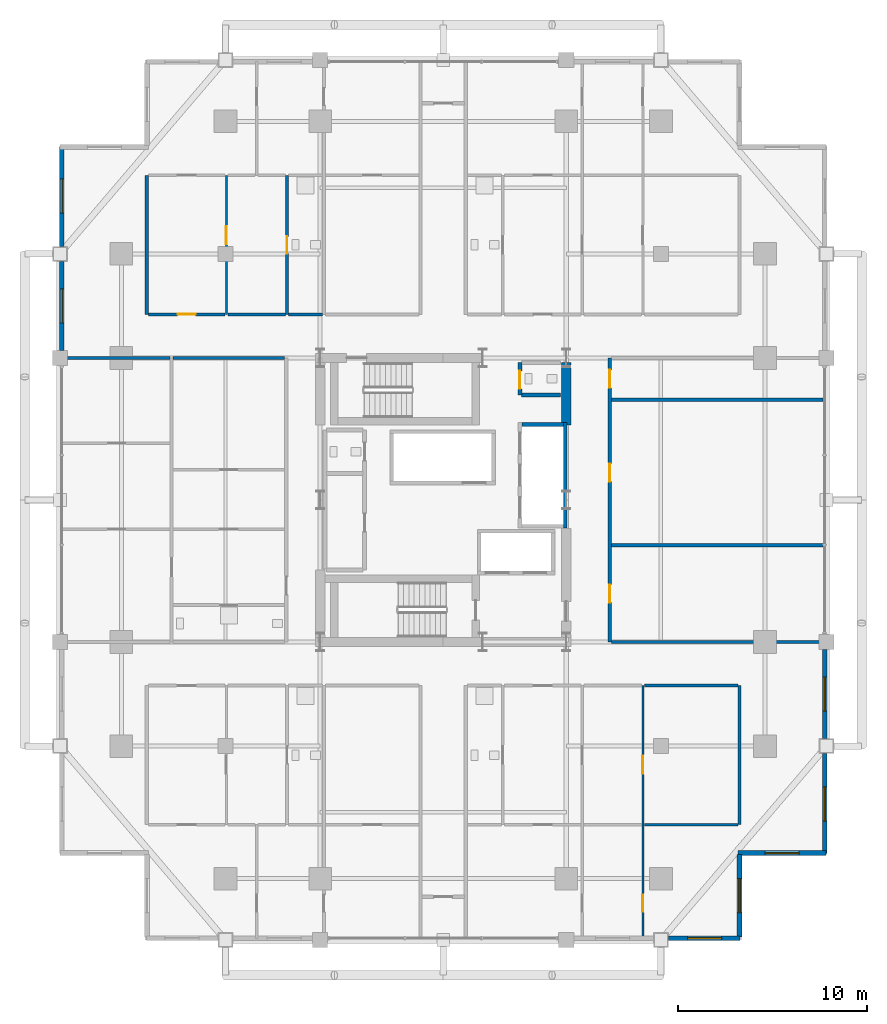
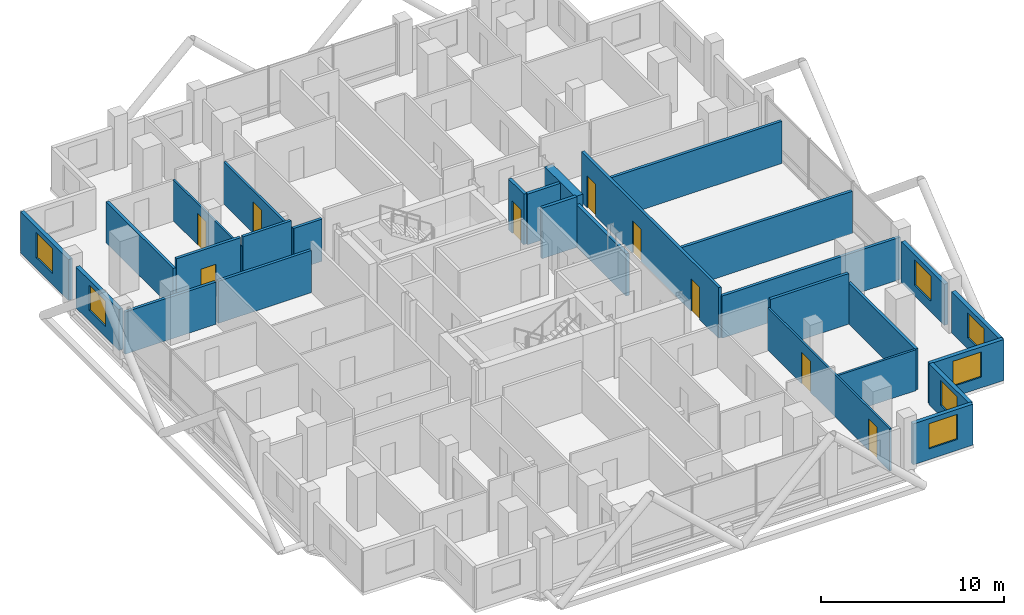
# One storey, part 21 of 25: 28 walls, 9 doors, 7 windows, 16 openings.
"""IFC4 building model written with IfcOpenShell, lengths in metres."""

from ifc_helpers import new_model, si_unit, direction, frame, frame_2d, origin, place, context, subcontext, project, spatial, rectangle, extrude, material, layer, layer_set, type_object, element, fill, save


model = new_model("IFC4")

# Units and contexts
model_context = context("Model", 3, precision=1e-05, world=origin(), true_north=direction((0.0, 1.0)))
body_context = subcontext(model_context, "Body", "Model", "MODEL_VIEW")
ifc_project = project(units=[si_unit("LENGTHUNIT", "METRE"), si_unit("AREAUNIT", "SQUARE_METRE"), si_unit("VOLUMEUNIT", "CUBIC_METRE"), si_unit("PLANEANGLEUNIT", "RADIAN"), si_unit("MASSUNIT", "GRAM", prefix="KILO")], contexts=[model_context])

# Site, building, storey
site_placement = place(None, origin())
site = spatial("IfcSite", under=ifc_project, at=site_placement, CompositionType="ELEMENT")
building_placement = place(site_placement, origin())
building = spatial("IfcBuilding", under=site, at=building_placement, Name="Barlavira Tower and Art Museum", CompositionType="ELEMENT")
storey_placement = place(building_placement, frame((0.0, 0.0, 133.199951171875)))
storey = spatial("IfcBuildingStorey", under=building, at=storey_placement, Name="L33", CompositionType="ELEMENT", Elevation=133.199951171875)

# Wall, opening, door
ifc_material_1 = material(Name="Gypsum acoustic stud partition", Category="gypsum")
ifc_layer_1 = layer(ifc_material_1, 0.1201171875, Name="Gypsum acoustic stud partition")
ifc_layer_set_1 = layer_set([ifc_layer_1], Name="Gypsum acoustic stud partition")
wall_type_1 = type_object("IfcWallType", Name="Apartment Internal Acoustic Partition 120", PredefinedType="PARTITIONING", material=ifc_layer_set_1)
wall_1_placement = place(storey_placement, frame((-11.449951171875, 9.800048828125, 0.0), z_axis=(0.0, 0.0, 1.0), x_axis=(0.0, 1.0, 0.0)))
wall_1 = element("IfcWall", 1, at=wall_1_placement, inside=storey, type_object=wall_type_1, Name="L33 Partition Wall 5", PredefinedType="PARTITIONING", context=body_context, shape_type="SweptSolid", body=[
    extrude(rectangle(XDim=7.349853515625, YDim=0.1201171875, at=frame_2d((3.6748046875, 0.0))), origin(), (0.0, 0.0, 1.0), 2.736083984375),
])
opening_1_placement = place(wall_1_placement, frame((3.71337890625, 0.0, 0.0)))
opening_1 = element("IfcOpeningElement", 2, at=opening_1_placement, cuts=wall_1, Name="Opening D-02", PredefinedType="OPENING", context=body_context, shape_type="SweptSolid", body=[
    extrude(rectangle(XDim=0.949951171875, YDim=2.10009765625, at=frame_2d((0.47509765625, 1.050048828125))), frame((0.0, 0.070068359375, 0.0), z_axis=(0.0, -1.0, 0.0), x_axis=(1.0, 0.0, 0.0)), (0.0, 0.0, 1.0), 0.14013671875),
])
ifc_material_2 = material(Name="Engineered coastal hardwood", Category="wood")
door_type_1 = type_object("IfcDoorType", Name="Living and Salon Glazed-Leaf Door 950x2100", OperationType="NOTDEFINED", PredefinedType="DOOR", material=ifc_material_2)
door_1_placement = place(opening_1_placement, origin())
door_1 = element("IfcDoor", 3, at=door_1_placement, inside=storey, type_object=door_type_1, Name="Apartment NW1 Kitchen Door", OperationType="SINGLE_SWING_RIGHT", OverallHeight=2.10009765625, OverallWidth=0.949951171875, PredefinedType="DOOR", context=body_context, shape_type="SweptSolid", body=[
    extrude(rectangle(XDim=0.949951171875, YDim=2.10009765625, at=frame_2d((0.47509765625, 1.050048828125))), frame((0.0, 0.02490234375, 0.0), z_axis=(0.0, -1.0, 0.0), x_axis=(1.0, 0.0, 0.0)), (0.0, 0.0, 1.0), 0.050048828125),
])
fill(opening_1, door_1)

# Wall, openings, doors
wall_2_placement = place(storey_placement, frame((10.550048828125, -23.14990234375, 0.0), z_axis=(0.0, 0.0, 1.0), x_axis=(0.0, 1.0, 0.0)))
wall_2 = element("IfcWall", 4, at=wall_2_placement, inside=storey, type_object=wall_type_1, Name="L33 Partition Wall 25", PredefinedType="PARTITIONING", context=body_context, shape_type="SweptSolid", body=[
    extrude(rectangle(XDim=13.349853515625, YDim=0.1201171875, at=frame_2d((6.6748046875, 0.0))), origin(), (0.0, 0.0, 1.0), 2.816162109375),
])
opening_2_placement = place(wall_2_placement, frame((8.686767578125, 0.0, 0.0)))
opening_2 = element("IfcOpeningElement", 5, at=opening_2_placement, cuts=wall_2, Name="Opening D-02", PredefinedType="OPENING", context=body_context, shape_type="SweptSolid", body=[
    extrude(rectangle(XDim=0.949951171875, YDim=2.10009765625, at=frame_2d((0.47509765625, 1.050048828125))), frame((0.0, 0.070068359375, 0.0), z_axis=(0.0, -1.0, 0.0), x_axis=(1.0, 0.0, 0.0)), (0.0, 0.0, 1.0), 0.14013671875),
])
opening_3_placement = place(wall_2_placement, frame((1.39892578125, 0.0, 0.0)))
opening_3 = element("IfcOpeningElement", 6, at=opening_3_placement, cuts=wall_2, Name="Opening D-01", PredefinedType="OPENING", context=body_context, shape_type="SweptSolid", body=[
    extrude(rectangle(XDim=0.89990234375, YDim=2.10009765625, at=frame_2d((0.449951171875, 1.050048828125))), frame((0.0, 0.070068359375, 0.0), z_axis=(0.0, -1.0, 0.0), x_axis=(1.0, 0.0, 0.0)), (0.0, 0.0, 1.0), 0.14013671875),
])
door_type_2 = type_object("IfcDoorType", Name="Internal Bedroom Timber Flush Door 900x2100", OperationType="NOTDEFINED", PredefinedType="DOOR", material=ifc_material_2)
door_2_placement = place(opening_3_placement, origin())
door_2 = element("IfcDoor", 7, at=door_2_placement, inside=storey, type_object=door_type_2, Name="Apartment SE1 Bedroom 2 Door", OperationType="SINGLE_SWING_LEFT", OverallHeight=2.10009765625, OverallWidth=0.89990234375, PredefinedType="DOOR", context=body_context, shape_type="SweptSolid", body=[
    extrude(rectangle(XDim=0.89990234375, YDim=2.10009765625, at=frame_2d((0.449951171875, 1.050048828125))), frame((0.0, 0.02490234375, 0.0), z_axis=(0.0, -1.0, 0.0), x_axis=(1.0, 0.0, 0.0)), (0.0, 0.0, 1.0), 0.050048828125),
])
fill(opening_3, door_2)
door_3_placement = place(opening_2_placement, origin())
door_3 = element("IfcDoor", 8, at=door_3_placement, inside=storey, type_object=door_type_1, Name="Apartment SE1 Dining Salon Door", OperationType="SINGLE_SWING_RIGHT", OverallHeight=2.10009765625, OverallWidth=0.949951171875, PredefinedType="DOOR", context=body_context, shape_type="SweptSolid", body=[
    extrude(rectangle(XDim=0.949951171875, YDim=2.10009765625, at=frame_2d((0.47509765625, 1.050048828125))), frame((0.0, 0.02490234375, 0.0), z_axis=(0.0, -1.0, 0.0), x_axis=(1.0, 0.0, 0.0)), (0.0, 0.0, 1.0), 0.050048828125),
])
fill(opening_2, door_3)

# Walls
ifc_material_3 = material(Name="Concrete C60", Category="concrete")
ifc_layer_2 = layer(ifc_material_3, 0.5, Name="Concrete C60")
ifc_layer_set_2 = layer_set([ifc_layer_2], Name="Concrete C60")
wall_type_2 = type_object("IfcWallType", Name="Core Structural Shear Wall 500 Concrete C60", PredefinedType="SHEAR", material=ifc_layer_set_2)
wall_3_placement = place(storey_placement, frame((6.5, 3.949951171875, 0.0), z_axis=(0.0, 0.0, 1.0), x_axis=(0.0, 1.0, 0.0)))
element("IfcWall", 9, at=wall_3_placement, inside=storey, type_object=wall_type_2, Name="L33 Core Shear Wall CS-E2", PredefinedType="SHEAR", context=body_context, shape_type="SweptSolid", body=[
    extrude(rectangle(XDim=3.300048828125, YDim=0.5, at=frame_2d((1.64990234375, 0.0))), origin(), (0.0, 0.0, 1.0), 3.380126953125),
])
ifc_material_4 = material(Name="Autoclaved aerated concrete masonry", Category="masonry")
ifc_layer_3 = layer(ifc_material_4, 0.199951171875, Name="Autoclaved aerated concrete masonry")
ifc_layer_set_3 = layer_set([ifc_layer_3], Name="Autoclaved aerated concrete masonry")
wall_type_3 = type_object("IfcWallType", Name="Fire Compartment and Shaft Wall 200", PredefinedType="SOLIDWALL", material=ifc_layer_set_3)
wall_4_placement = place(storey_placement, frame((6.449951171875, -1.489990234375, 0.0), z_axis=(0.0, 0.0, 1.0), x_axis=(0.0, 1.0, 0.0)))
element("IfcWall", 10, at=wall_4_placement, inside=storey, type_object=wall_type_3, Name="L33 Mid-Rise Lift Back Shaft Wall", PredefinedType="SOLIDWALL", context=body_context, shape_type="SweptSolid", body=[
    extrude(rectangle(XDim=5.580078125, YDim=0.199951171875, at=frame_2d((2.7900390625, 0.0))), origin(), (0.0, 0.0, 1.0), 2.816162109375),
])
wall_5_placement = place(storey_placement, frame((4.14990234375, 3.989990234375, 0.0), z_axis=(0.0, 0.0, 1.0), x_axis=(1.0, 0.0, 0.0)))
element("IfcWall", 11, at=wall_5_placement, inside=storey, type_object=wall_type_3, Name="L33 Mid-Rise Lift North Shaft Wall", PredefinedType="SOLIDWALL", context=body_context, shape_type="SweptSolid", body=[
    extrude(rectangle(XDim=2.2001953125, YDim=0.199951171875, at=frame_2d((1.10009765625, 0.0))), origin(), (0.0, 0.0, 1.0), 3.380126953125),
])

# Wall, opening, door
wall_6_placement = place(storey_placement, frame((4.050048828125, 5.550048828125, 0.0), z_axis=(0.0, 0.0, 1.0), x_axis=(0.0, 1.0, 0.0)))
wall_6 = element("IfcWall", 12, at=wall_6_placement, inside=storey, type_object=wall_type_3, Name="L33 Partition Wall 21", PredefinedType="SOLIDWALL", context=body_context, shape_type="SweptSolid", body=[
    extrude(rectangle(XDim=1.699951171875, YDim=0.199951171875, at=frame_2d((0.85009765625, 0.0))), origin(), (0.0, 0.0, 1.0), 3.380126953125),
])
opening_4_placement = place(wall_6_placement, frame((0.324951171875, 0.0, 0.0)))
opening_4 = element("IfcOpeningElement", 13, at=opening_4_placement, cuts=wall_6, Name="Opening FD-60", PredefinedType="OPENING", context=body_context, shape_type="SweptSolid", body=[
    extrude(rectangle(XDim=0.949951171875, YDim=2.14990234375, at=frame_2d((0.47509765625, 1.074951171875))), frame((0.0, 0.10986328125, 0.0), z_axis=(0.0, -1.0, 0.0), x_axis=(1.0, 0.0, 0.0)), (0.0, 0.0, 1.0), 0.219970703125),
])
ifc_material_5 = material(Name="Brushed stainless steel", Category="steel")
door_type_3 = type_object("IfcDoorType", Name="Apartment Entrance and Riser Fire Door 950x2150 FD60S", OperationType="NOTDEFINED", PredefinedType="DOOR", material=ifc_material_5)
door_4_placement = place(opening_4_placement, origin())
door_4 = element("IfcDoor", 14, at=door_4_placement, inside=storey, type_object=door_type_3, Name="Core Accessible Washroom Door", OperationType="SINGLE_SWING_RIGHT", OverallHeight=2.14990234375, OverallWidth=0.949951171875, PredefinedType="DOOR", context=body_context, shape_type="SweptSolid", body=[
    extrude(rectangle(XDim=0.949951171875, YDim=2.14990234375, at=frame_2d((0.47509765625, 1.074951171875))), frame((0.0, 0.02490234375, 0.0), z_axis=(0.0, -1.0, 0.0), x_axis=(1.0, 0.0, 0.0)), (0.0, 0.0, 1.0), 0.050048828125),
])
fill(opening_4, door_4)

# Walls
wall_7_placement = place(storey_placement, frame((4.1298828125, 5.550048828125, 0.0), z_axis=(0.0, 0.0, 1.0), x_axis=(1.0, 0.0, 0.0)))
element("IfcWall", 15, at=wall_7_placement, inside=storey, type_object=wall_type_3, Name="L33 Partition Wall 60", PredefinedType="SOLIDWALL", context=body_context, shape_type="SweptSolid", body=[
    extrude(rectangle(XDim=2.070068359375, YDim=0.199951171875, at=frame_2d((1.03515625, 0.0))), origin(), (0.0, 0.0, 1.0), 3.380126953125),
])
ifc_layer_4 = layer(ifc_material_1, 0.179931640625, Name="Gypsum acoustic stud partition")
ifc_layer_set_4 = layer_set([ifc_layer_4], Name="Gypsum acoustic stud partition")
wall_type_4 = type_object("IfcWallType", Name="Inter-Tenancy Party Partition Wall 180", PredefinedType="PARTITIONING", material=ifc_layer_set_4)
wall_8_placement = place(storey_placement, frame((-15.64990234375, 9.800048828125, 0.0), z_axis=(0.0, 0.0, 1.0), x_axis=(0.0, 1.0, 0.0)))
element("IfcWall", 16, at=wall_8_placement, inside=storey, type_object=wall_type_4, Name="L33 Partition Wall 2", PredefinedType="PARTITIONING", context=body_context, shape_type="SweptSolid", body=[
    extrude(rectangle(XDim=7.349853515625, YDim=0.179931640625, at=frame_2d((3.6748046875, 0.0))), origin(), (0.0, 0.0, 1.0), 2.736083984375),
])

# Wall, openings, doors
wall_9_placement = place(storey_placement, frame((8.800048828125, -7.5, 0.0), z_axis=(0.0, 0.0, 1.0), x_axis=(0.0, 1.0, 0.0)))
wall_9 = element("IfcWall", 17, at=wall_9_placement, inside=storey, type_object=wall_type_4, Name="L33 Partition Wall 24", PredefinedType="PARTITIONING", context=body_context, shape_type="SweptSolid", body=[
    extrude(rectangle(XDim=15.0, YDim=0.179931640625, at=frame_2d((7.5, 0.0))), origin(), (0.0, 0.0, 1.0), 3.380126953125),
])
opening_5_placement = place(wall_9_placement, frame((2.074951171875, 0.0, 0.0)))
opening_5 = element("IfcOpeningElement", 18, at=opening_5_placement, cuts=wall_9, Name="Opening FD-60", PredefinedType="OPENING", context=body_context, shape_type="SweptSolid", body=[
    extrude(rectangle(XDim=0.949951171875, YDim=2.14990234375, at=frame_2d((0.47509765625, 1.074951171875))), frame((0.0, 0.10009765625, 0.0), z_axis=(0.0, -1.0, 0.0), x_axis=(1.0, 0.0, 0.0)), (0.0, 0.0, 1.0), 0.199951171875),
])
opening_6_placement = place(wall_9_placement, frame((8.47509765625, 0.0, 0.0)))
opening_6 = element("IfcOpeningElement", 19, at=opening_6_placement, cuts=wall_9, Name="Opening FD-60", PredefinedType="OPENING", context=body_context, shape_type="SweptSolid", body=[
    extrude(rectangle(XDim=0.949951171875, YDim=2.14990234375, at=frame_2d((0.47509765625, 1.074951171875))), frame((0.0, 0.10009765625, 0.0), z_axis=(0.0, -1.0, 0.0), x_axis=(1.0, 0.0, 0.0)), (0.0, 0.0, 1.0), 0.199951171875),
])
opening_7_placement = place(wall_9_placement, frame((13.425048828125, 0.0, 0.0)))
opening_7 = element("IfcOpeningElement", 20, at=opening_7_placement, cuts=wall_9, Name="Opening FD-60", PredefinedType="OPENING", context=body_context, shape_type="SweptSolid", body=[
    extrude(rectangle(XDim=0.949951171875, YDim=2.14990234375, at=frame_2d((0.47509765625, 1.074951171875))), frame((0.0, 0.10009765625, 0.0), z_axis=(0.0, -1.0, 0.0), x_axis=(1.0, 0.0, 0.0)), (0.0, 0.0, 1.0), 0.199951171875),
])
door_5_placement = place(opening_5_placement, origin())
door_5 = element("IfcDoor", 21, at=door_5_placement, inside=storey, type_object=door_type_3, Name="Resident Rare-Book Reading Room Door", OperationType="SINGLE_SWING_RIGHT", OverallHeight=2.14990234375, OverallWidth=0.949951171875, PredefinedType="DOOR", context=body_context, shape_type="SweptSolid", body=[
    extrude(rectangle(XDim=0.949951171875, YDim=2.14990234375, at=frame_2d((0.47509765625, 1.074951171875))), frame((0.0, 0.02490234375, 0.0), z_axis=(0.0, -1.0, 0.0), x_axis=(1.0, 0.0, 0.0)), (0.0, 0.0, 1.0), 0.050048828125),
])
fill(opening_5, door_5)
door_6_placement = place(opening_6_placement, origin())
door_6 = element("IfcDoor", 22, at=door_6_placement, inside=storey, type_object=door_type_3, Name="Private Coastal Dining Salon Door", OperationType="SINGLE_SWING_LEFT", OverallHeight=2.14990234375, OverallWidth=0.949951171875, PredefinedType="DOOR", context=body_context, shape_type="SweptSolid", body=[
    extrude(rectangle(XDim=0.949951171875, YDim=2.14990234375, at=frame_2d((0.47509765625, 1.074951171875))), frame((0.0, 0.02490234375, 0.0), z_axis=(0.0, -1.0, 0.0), x_axis=(1.0, 0.0, 0.0)), (0.0, 0.0, 1.0), 0.050048828125),
])
fill(opening_6, door_6)
door_7_placement = place(opening_7_placement, origin())
door_7 = element("IfcDoor", 23, at=door_7_placement, inside=storey, type_object=door_type_3, Name="Shared Catering Kitchen Door", OperationType="SINGLE_SWING_RIGHT", OverallHeight=2.14990234375, OverallWidth=0.949951171875, PredefinedType="DOOR", context=body_context, shape_type="SweptSolid", body=[
    extrude(rectangle(XDim=0.949951171875, YDim=2.14990234375, at=frame_2d((0.47509765625, 1.074951171875))), frame((0.0, 0.02490234375, 0.0), z_axis=(0.0, -1.0, 0.0), x_axis=(1.0, 0.0, 0.0)), (0.0, 0.0, 1.0), 0.050048828125),
])
fill(opening_7, door_7)

# Walls
wall_10_placement = place(storey_placement, frame((15.64990234375, -17.14990234375, 0.0), z_axis=(0.0, 0.0, 1.0), x_axis=(0.0, 1.0, 0.0)))
element("IfcWall", 24, at=wall_10_placement, inside=storey, type_object=wall_type_4, Name="L33 Partition Wall 27", PredefinedType="PARTITIONING", context=body_context, shape_type="SweptSolid", body=[
    extrude(rectangle(XDim=7.349853515625, YDim=0.179931640625, at=frame_2d((3.6748046875, 0.0))), origin(), (0.0, 0.0, 1.0), 2.736083984375),
])
wall_11_placement = place(storey_placement, frame((10.6298828125, -9.800048828125, 0.0), z_axis=(0.0, 0.0, 1.0), x_axis=(1.0, 0.0, 0.0)))
element("IfcWall", 25, at=wall_11_placement, inside=storey, type_object=wall_type_4, Name="L33 Partition Wall 46", PredefinedType="PARTITIONING", context=body_context, shape_type="SweptSolid", body=[
    extrude(rectangle(XDim=4.940185546875, YDim=0.179931640625, at=frame_2d((2.47021484375, 0.0))), origin(), (0.0, 0.0, 1.0), 3.380126953125),
])
wall_12_placement = place(storey_placement, frame((8.8798828125, -7.5, 0.0), z_axis=(0.0, 0.0, 1.0), x_axis=(1.0, 0.0, 0.0)))
element("IfcWall", 26, at=wall_12_placement, inside=storey, type_object=wall_type_4, Name="L33 Partition Wall 49", PredefinedType="PARTITIONING", context=body_context, shape_type="SweptSolid", body=[
    extrude(rectangle(XDim=11.27001953125, YDim=0.179931640625, at=frame_2d((5.635009765625, 0.0))), origin(), (0.0, 0.0, 1.0), 2.816162109375),
])
for number, where, z_axis, x_axis, name in (
    (27, (8.8798828125, -2.39990234375, 0.0), (0.0, 0.0, 1.0), (1.0, 0.0, 0.0), "L33 Partition Wall 52"),
    (28, (8.8798828125, 5.300048828125, 0.0), (0.0, 0.0, 1.0), (1.0, 0.0, 0.0), "L33 Partition Wall 59"),
):
    element("IfcWall", number, at=place(storey_placement, frame(where, z_axis=z_axis, x_axis=x_axis)), inside=storey, type_object=wall_type_4, Name=name, PredefinedType="PARTITIONING", context=body_context, shape_type="SweptSolid", body=[
        extrude(rectangle(XDim=11.190185546875, YDim=0.179931640625, at=frame_2d((5.59521484375, 0.0))), origin(), (0.0, 0.0, 1.0), 2.816162109375),
    ])
wall_13_placement = place(storey_placement, frame((-20.14990234375, 7.5, 0.0), z_axis=(0.0, 0.0, 1.0), x_axis=(1.0, 0.0, 0.0)))
element("IfcWall", 29, at=wall_13_placement, inside=storey, type_object=wall_type_4, Name="L33 Partition Wall 62", PredefinedType="PARTITIONING", context=body_context, shape_type="SweptSolid", body=[
    extrude(rectangle(XDim=5.719970703125, YDim=0.179931640625, at=frame_2d((2.85986328125, 0.0))), origin(), (0.0, 0.0, 1.0), 2.816162109375),
])
wall_14_placement = place(storey_placement, frame((-14.27001953125, 7.5, 0.0), z_axis=(0.0, 0.0, 1.0), x_axis=(1.0, 0.0, 0.0)))
element("IfcWall", 30, at=wall_14_placement, inside=storey, type_object=wall_type_4, Name="L33 Partition Wall 63", PredefinedType="PARTITIONING", context=body_context, shape_type="SweptSolid", body=[
    extrude(rectangle(XDim=5.89013671875, YDim=0.179931640625, at=frame_2d((2.945068359375, 0.0))), origin(), (0.0, 0.0, 1.0), 2.816162109375),
])

# Wall, opening, door
wall_15_placement = place(storey_placement, frame((-15.570068359375, 9.800048828125, 0.0), z_axis=(0.0, 0.0, 1.0), x_axis=(1.0, 0.0, 0.0)))
wall_15 = element("IfcWall", 31, at=wall_15_placement, inside=storey, type_object=wall_type_4, Name="L33 Partition Wall 65", PredefinedType="PARTITIONING", context=body_context, shape_type="SweptSolid", body=[
    extrude(rectangle(XDim=4.0400390625, YDim=0.179931640625, at=frame_2d((2.02001953125, 0.0))), origin(), (0.0, 0.0, 1.0), 3.380126953125),
])
opening_8_placement = place(wall_15_placement, frame((1.544921875, 0.0, 0.0)))
opening_8 = element("IfcOpeningElement", 32, at=opening_8_placement, cuts=wall_15, Name="Opening FD-60", PredefinedType="OPENING", context=body_context, shape_type="SweptSolid", body=[
    extrude(rectangle(XDim=0.949951171875, YDim=2.14990234375, at=frame_2d((0.47509765625, 1.074951171875))), frame((0.0, 0.10009765625, 0.0), z_axis=(0.0, -1.0, 0.0), x_axis=(1.0, 0.0, 0.0)), (0.0, 0.0, 1.0), 0.199951171875),
])
door_8_placement = place(opening_8_placement, origin())
door_8 = element("IfcDoor", 33, at=door_8_placement, inside=storey, type_object=door_type_3, Name="Apartment Entrance Hall NW1 Door", OperationType="SINGLE_SWING_LEFT", OverallHeight=2.14990234375, OverallWidth=0.949951171875, PredefinedType="DOOR", context=body_context, shape_type="SweptSolid", body=[
    extrude(rectangle(XDim=0.949951171875, YDim=2.14990234375, at=frame_2d((0.47509765625, 1.074951171875))), frame((0.0, 0.02490234375, 0.0), z_axis=(0.0, -1.0, 0.0), x_axis=(1.0, 0.0, 0.0)), (0.0, 0.0, 1.0), 0.050048828125),
])
fill(opening_8, door_8)

# Walls
wall_16_placement = place(storey_placement, frame((-11.3701171875, 9.800048828125, 0.0), z_axis=(0.0, 0.0, 1.0), x_axis=(1.0, 0.0, 0.0)))
element("IfcWall", 34, at=wall_16_placement, inside=storey, type_object=wall_type_4, Name="L33 Partition Wall 66", PredefinedType="PARTITIONING", context=body_context, shape_type="SweptSolid", body=[
    extrude(rectangle(XDim=3.0400390625, YDim=0.179931640625, at=frame_2d((1.52001953125, 0.0))), origin(), (0.0, 0.0, 1.0), 3.380126953125),
])
wall_17_placement = place(storey_placement, frame((-8.169921875, 9.800048828125, 0.0), z_axis=(0.0, 0.0, 1.0), x_axis=(1.0, 0.0, 0.0)))
element("IfcWall", 35, at=wall_17_placement, inside=storey, type_object=wall_type_4, Name="L33 Partition Wall 67", PredefinedType="PARTITIONING", context=body_context, shape_type="SweptSolid", body=[
    extrude(rectangle(XDim=1.7900390625, YDim=0.179931640625, at=frame_2d((0.89501953125, 0.0))), origin(), (0.0, 0.0, 1.0), 2.816162109375),
])

# Wall, opening, door
ifc_layer_5 = layer(ifc_material_1, 0.139892578125, Name="Gypsum acoustic stud partition")
ifc_layer_set_5 = layer_set([ifc_layer_5], Name="Gypsum acoustic stud partition")
wall_type_5 = type_object("IfcWallType", Name="Moisture-Resistant Bathroom Partition 140", PredefinedType="PARTITIONING", material=ifc_layer_set_5)
wall_18_placement = place(storey_placement, frame((-8.25, 9.800048828125, 0.0), z_axis=(0.0, 0.0, 1.0), x_axis=(0.0, 1.0, 0.0)))
wall_18 = element("IfcWall", 36, at=wall_18_placement, inside=storey, type_object=wall_type_5, Name="L33 Partition Wall 10", PredefinedType="PARTITIONING", context=body_context, shape_type="SweptSolid", body=[
    extrude(rectangle(XDim=7.349853515625, YDim=0.139892578125, at=frame_2d((3.6748046875, 0.0))), origin(), (0.0, 0.0, 1.0), 2.816162109375),
])
opening_9_placement = place(wall_18_placement, frame((3.219970703125, 0.0, 0.0)))
opening_9 = element("IfcOpeningElement", 37, at=opening_9_placement, cuts=wall_18, Name="Opening D-WC", PredefinedType="OPENING", context=body_context, shape_type="SweptSolid", body=[
    extrude(rectangle(XDim=0.89990234375, YDim=2.10009765625, at=frame_2d((0.449951171875, 1.050048828125))), frame((0.0, 0.080078125, 0.0), z_axis=(0.0, -1.0, 0.0), x_axis=(1.0, 0.0, 0.0)), (0.0, 0.0, 1.0), 0.159912109375),
])
door_type_4 = type_object("IfcDoorType", Name="Accessible Bathroom Flush Door 900x2100", OperationType="NOTDEFINED", PredefinedType="DOOR", material=ifc_material_2)
door_9_placement = place(opening_9_placement, origin())
door_9 = element("IfcDoor", 38, at=door_9_placement, inside=storey, type_object=door_type_4, Name="Apartment NW1 Hall Bathroom Door", OperationType="SINGLE_SWING_LEFT", OverallHeight=2.10009765625, OverallWidth=0.89990234375, PredefinedType="DOOR", context=body_context, shape_type="SweptSolid", body=[
    extrude(rectangle(XDim=0.89990234375, YDim=2.10009765625, at=frame_2d((0.449951171875, 1.050048828125))), frame((0.0, 0.02490234375, 0.0), z_axis=(0.0, -1.0, 0.0), x_axis=(1.0, 0.0, 0.0)), (0.0, 0.0, 1.0), 0.050048828125),
])
fill(opening_9, door_9)

# Wall
wall_19_placement = place(storey_placement, frame((10.6298828125, -17.14990234375, 0.0), z_axis=(0.0, 0.0, 1.0), x_axis=(1.0, 0.0, 0.0)))
element("IfcWall", 39, at=wall_19_placement, inside=storey, type_object=wall_type_5, Name="L33 Partition Wall 38", PredefinedType="PARTITIONING", context=body_context, shape_type="SweptSolid", body=[
    extrude(rectangle(XDim=4.940185546875, YDim=0.139892578125, at=frame_2d((2.47021484375, 0.0))), origin(), (0.0, 0.0, 1.0), 2.736083984375),
])

# Wall, opening, window
ifc_material_6 = material(Name="Precast concrete C40", Category="concrete")
ifc_layer_6 = layer(ifc_material_6, 0.25, Name="Precast concrete C40")
ifc_layer_set_6 = layer_set([ifc_layer_6], Name="Precast concrete C40")
wall_type_6 = type_object("IfcWallType", Name="Notched Corner Spandrel Wall 250 Precast Concrete C40", PredefinedType="SOLIDWALL", material=ifc_layer_set_6)
wall_20_placement = place(storey_placement, frame((11.89501953125, -23.14990234375, 0.0), z_axis=(0.0, 0.0, 1.0), x_axis=(1.0, 0.0, 0.0)))
wall_20 = element("IfcWall", 40, at=wall_20_placement, inside=storey, type_object=wall_type_6, Name="L33 Coastal Facade Pier Wall CW2-L33-S-5", PredefinedType="SOLIDWALL", context=body_context, shape_type="SweptSolid", body=[
    extrude(rectangle(XDim=3.780029296875, YDim=0.25, at=frame_2d((1.89013671875, 0.0))), origin(), (0.0, 0.0, 1.0), 2.736083984375),
])
opening_10_placement = place(wall_20_placement, frame((1.012939453125, 0.0, 0.719970703125)))
opening_10 = element("IfcOpeningElement", 41, at=opening_10_placement, cuts=wall_20, Name="Opening WN-01", PredefinedType="OPENING", context=body_context, shape_type="SweptSolid", body=[
    extrude(rectangle(XDim=1.800048828125, YDim=1.679931640625, at=frame_2d((0.89990234375, 0.83984375))), frame((0.0, 0.135009765625, 0.0), z_axis=(0.0, -1.0, 0.0), x_axis=(1.0, 0.0, 0.0)), (0.0, 0.0, 1.0), 0.27001953125),
])
ifc_material_7 = material(Name="Low-iron coastal laminated glass", Category="glass")
window_type = type_object("IfcWindowType", Name="Recessed Notch Corner Punch Window 1800x1680", PartitioningType="SINGLE_PANEL", PredefinedType="WINDOW", material=ifc_material_7)
window_1_placement = place(opening_10_placement, origin())
window_1 = element("IfcWindow", 42, at=window_1_placement, inside=storey, type_object=window_type, Name="L33 Punched Facade Window EWP-CW2-L33-S-5-1", OverallHeight=1.679931640625, OverallWidth=1.800048828125, PartitioningType="SINGLE_PANEL", PredefinedType="WINDOW", context=body_context, shape_type="SweptSolid", body=[
    extrude(rectangle(XDim=1.800048828125, YDim=1.679931640625, at=frame_2d((0.89990234375, 0.83984375))), frame((0.0, 0.030029296875, 0.0), z_axis=(0.0, -1.0, 0.0), x_axis=(1.0, 0.0, 0.0)), (0.0, 0.0, 1.0), 0.06005859375),
])
fill(opening_10, window_1)

wall_21_placement = place(storey_placement, frame((-20.14990234375, 18.675048828125, 0.0), z_axis=(0.0, 0.0, 1.0), x_axis=(0.0, -1.0, 0.0)))
wall_21 = element("IfcWall", 43, at=wall_21_placement, inside=storey, type_object=wall_type_6, Name="L33 Coastal Facade Pier Wall CW2-L33-W-1", PredefinedType="SOLIDWALL", context=body_context, shape_type="SweptSolid", body=[
    extrude(rectangle(XDim=5.280029296875, YDim=0.25, at=frame_2d((2.64013671875, 0.0))), origin(), (0.0, 0.0, 1.0), 2.736083984375),
])
opening_11_placement = place(wall_21_placement, frame((1.718017578125, 0.0, 0.719970703125)))
opening_11 = element("IfcOpeningElement", 44, at=opening_11_placement, cuts=wall_21, Name="Opening WN-01", PredefinedType="OPENING", context=body_context, shape_type="SweptSolid", body=[
    extrude(rectangle(XDim=1.800048828125, YDim=1.679931640625, at=frame_2d((0.89990234375, 0.83984375))), frame((0.0, 0.135009765625, 0.0), z_axis=(0.0, -1.0, 0.0), x_axis=(1.0, 0.0, 0.0)), (0.0, 0.0, 1.0), 0.27001953125),
])
window_2_placement = place(opening_11_placement, origin())
window_2 = element("IfcWindow", 45, at=window_2_placement, inside=storey, type_object=window_type, Name="L33 Punched Facade Window EWP-CW2-L33-W-1-1", OverallHeight=1.679931640625, OverallWidth=1.800048828125, PartitioningType="SINGLE_PANEL", PredefinedType="WINDOW", context=body_context, shape_type="SweptSolid", body=[
    extrude(rectangle(XDim=1.800048828125, YDim=1.679931640625, at=frame_2d((0.89990234375, 0.83984375))), frame((0.0, 0.030029296875, 0.0), z_axis=(0.0, -1.0, 0.0), x_axis=(1.0, 0.0, 0.0)), (0.0, 0.0, 1.0), 0.06005859375),
])
fill(opening_11, window_2)

wall_22_placement = place(storey_placement, frame((-20.14990234375, 12.60498046875, 0.0), z_axis=(0.0, 0.0, 1.0), x_axis=(0.0, -1.0, 0.0)))
wall_22 = element("IfcWall", 46, at=wall_22_placement, inside=storey, type_object=wall_type_6, Name="L33 Coastal Facade Pier Wall CW2-L33-W-2", PredefinedType="SOLIDWALL", context=body_context, shape_type="SweptSolid", body=[
    extrude(rectangle(XDim=4.7099609375, YDim=0.25, at=frame_2d((2.35498046875, 0.0))), origin(), (0.0, 0.0, 1.0), 2.736083984375),
])
opening_12_placement = place(wall_22_placement, frame((1.455078125, 0.0, 0.719970703125)))
opening_12 = element("IfcOpeningElement", 47, at=opening_12_placement, cuts=wall_22, Name="Opening WN-01", PredefinedType="OPENING", context=body_context, shape_type="SweptSolid", body=[
    extrude(rectangle(XDim=1.800048828125, YDim=1.679931640625, at=frame_2d((0.89990234375, 0.83984375))), frame((0.0, 0.135009765625, 0.0), z_axis=(0.0, -1.0, 0.0), x_axis=(1.0, 0.0, 0.0)), (0.0, 0.0, 1.0), 0.27001953125),
])
window_3_placement = place(opening_12_placement, origin())
window_3 = element("IfcWindow", 48, at=window_3_placement, inside=storey, type_object=window_type, Name="L33 Punched Facade Window EWP-CW2-L33-W-2-1", OverallHeight=1.679931640625, OverallWidth=1.800048828125, PartitioningType="SINGLE_PANEL", PredefinedType="WINDOW", context=body_context, shape_type="SweptSolid", body=[
    extrude(rectangle(XDim=1.800048828125, YDim=1.679931640625, at=frame_2d((0.89990234375, 0.83984375))), frame((0.0, 0.030029296875, 0.0), z_axis=(0.0, -1.0, 0.0), x_axis=(1.0, 0.0, 0.0)), (0.0, 0.0, 1.0), 0.06005859375),
])
fill(opening_12, window_3)

wall_23_placement = place(storey_placement, frame((20.14990234375, -18.675048828125, 0.0), z_axis=(0.0, 0.0, 1.0), x_axis=(0.0, 1.0, 0.0)))
wall_23 = element("IfcWall", 49, at=wall_23_placement, inside=storey, type_object=wall_type_6, Name="L33 Coastal Facade Pier Wall CW2-L33-E-1", PredefinedType="SOLIDWALL", context=body_context, shape_type="SweptSolid", body=[
    extrude(rectangle(XDim=5.280029296875, YDim=0.25, at=frame_2d((2.64013671875, 0.0))), origin(), (0.0, 0.0, 1.0), 2.736083984375),
])
opening_13_placement = place(wall_23_placement, frame((1.718017578125, 0.0, 0.719970703125)))
opening_13 = element("IfcOpeningElement", 50, at=opening_13_placement, cuts=wall_23, Name="Opening WN-01", PredefinedType="OPENING", context=body_context, shape_type="SweptSolid", body=[
    extrude(rectangle(XDim=1.800048828125, YDim=1.679931640625, at=frame_2d((0.89990234375, 0.83984375))), frame((0.0, 0.135009765625, 0.0), z_axis=(0.0, -1.0, 0.0), x_axis=(1.0, 0.0, 0.0)), (0.0, 0.0, 1.0), 0.27001953125),
])
window_4_placement = place(opening_13_placement, origin())
window_4 = element("IfcWindow", 51, at=window_4_placement, inside=storey, type_object=window_type, Name="L33 Punched Facade Window EWP-CW2-L33-E-1-1", OverallHeight=1.679931640625, OverallWidth=1.800048828125, PartitioningType="SINGLE_PANEL", PredefinedType="WINDOW", context=body_context, shape_type="SweptSolid", body=[
    extrude(rectangle(XDim=1.800048828125, YDim=1.679931640625, at=frame_2d((0.89990234375, 0.83984375))), frame((0.0, 0.030029296875, 0.0), z_axis=(0.0, -1.0, 0.0), x_axis=(1.0, 0.0, 0.0)), (0.0, 0.0, 1.0), 0.06005859375),
])
fill(opening_13, window_4)

wall_24_placement = place(storey_placement, frame((20.14990234375, -12.60498046875, 0.0), z_axis=(0.0, 0.0, 1.0), x_axis=(0.0, 1.0, 0.0)))
wall_24 = element("IfcWall", 52, at=wall_24_placement, inside=storey, type_object=wall_type_6, Name="L33 Coastal Facade Pier Wall CW2-L33-E-2", PredefinedType="SOLIDWALL", context=body_context, shape_type="SweptSolid", body=[
    extrude(rectangle(XDim=4.7099609375, YDim=0.25, at=frame_2d((2.35498046875, 0.0))), origin(), (0.0, 0.0, 1.0), 2.736083984375),
])
opening_14_placement = place(wall_24_placement, frame((1.455078125, 0.0, 0.719970703125)))
opening_14 = element("IfcOpeningElement", 53, at=opening_14_placement, cuts=wall_24, Name="Opening WN-01", PredefinedType="OPENING", context=body_context, shape_type="SweptSolid", body=[
    extrude(rectangle(XDim=1.800048828125, YDim=1.679931640625, at=frame_2d((0.89990234375, 0.83984375))), frame((0.0, 0.135009765625, 0.0), z_axis=(0.0, -1.0, 0.0), x_axis=(1.0, 0.0, 0.0)), (0.0, 0.0, 1.0), 0.27001953125),
])
window_5_placement = place(opening_14_placement, origin())
window_5 = element("IfcWindow", 54, at=window_5_placement, inside=storey, type_object=window_type, Name="L33 Punched Facade Window EWP-CW2-L33-E-2-1", OverallHeight=1.679931640625, OverallWidth=1.800048828125, PartitioningType="SINGLE_PANEL", PredefinedType="WINDOW", context=body_context, shape_type="SweptSolid", body=[
    extrude(rectangle(XDim=1.800048828125, YDim=1.679931640625, at=frame_2d((0.89990234375, 0.83984375))), frame((0.0, 0.030029296875, 0.0), z_axis=(0.0, -1.0, 0.0), x_axis=(1.0, 0.0, 0.0)), (0.0, 0.0, 1.0), 0.06005859375),
])
fill(opening_14, window_5)

wall_25_placement = place(storey_placement, frame((15.64990234375, -23.070068359375, 0.0), z_axis=(0.0, 0.0, 1.0), x_axis=(0.0, 1.0, 0.0)))
wall_25 = element("IfcWall", 55, at=wall_25_placement, inside=storey, type_object=wall_type_6, Name="L33 Notch Corner Wall SE1", PredefinedType="SOLIDWALL", context=body_context, shape_type="SweptSolid", body=[
    extrude(rectangle(XDim=4.340087890625, YDim=0.25, at=frame_2d((2.169921875, 0.0))), origin(), (0.0, 0.0, 1.0), 2.736083984375),
])
opening_15_placement = place(wall_25_placement, frame((1.27001953125, 0.0, 0.719970703125)))
opening_15 = element("IfcOpeningElement", 56, at=opening_15_placement, cuts=wall_25, Name="Opening WN-01", PredefinedType="OPENING", context=body_context, shape_type="SweptSolid", body=[
    extrude(rectangle(XDim=1.800048828125, YDim=1.679931640625, at=frame_2d((0.89990234375, 0.83984375))), frame((0.0, 0.135009765625, 0.0), z_axis=(0.0, -1.0, 0.0), x_axis=(1.0, 0.0, 0.0)), (0.0, 0.0, 1.0), 0.27001953125),
])
window_6_placement = place(opening_15_placement, origin())
window_6 = element("IfcWindow", 57, at=window_6_placement, inside=storey, type_object=window_type, Name="L33 Punched Facade Window EW-NTC-L33-SE1-1", OverallHeight=1.679931640625, OverallWidth=1.800048828125, PartitioningType="SINGLE_PANEL", PredefinedType="WINDOW", context=body_context, shape_type="SweptSolid", body=[
    extrude(rectangle(XDim=1.800048828125, YDim=1.679931640625, at=frame_2d((0.89990234375, 0.83984375))), frame((0.0, 0.030029296875, 0.0), z_axis=(0.0, -1.0, 0.0), x_axis=(1.0, 0.0, 0.0)), (0.0, 0.0, 1.0), 0.06005859375),
])
fill(opening_15, window_6)

wall_26_placement = place(storey_placement, frame((15.570068359375, -18.64990234375, 0.0), z_axis=(0.0, 0.0, 1.0), x_axis=(1.0, 0.0, 0.0)))
wall_26 = element("IfcWall", 58, at=wall_26_placement, inside=storey, type_object=wall_type_6, Name="L33 Notch Corner Wall SE2", PredefinedType="SOLIDWALL", context=body_context, shape_type="SweptSolid", body=[
    extrude(rectangle(XDim=4.659912109375, YDim=0.25, at=frame_2d((2.330078125, 0.0))), origin(), (0.0, 0.0, 1.0), 2.736083984375),
])
opening_16_placement = place(wall_26_placement, frame((1.429931640625, 0.0, 0.719970703125)))
opening_16 = element("IfcOpeningElement", 59, at=opening_16_placement, cuts=wall_26, Name="Opening WN-01", PredefinedType="OPENING", context=body_context, shape_type="SweptSolid", body=[
    extrude(rectangle(XDim=1.800048828125, YDim=1.679931640625, at=frame_2d((0.89990234375, 0.83984375))), frame((0.0, 0.135009765625, 0.0), z_axis=(0.0, -1.0, 0.0), x_axis=(1.0, 0.0, 0.0)), (0.0, 0.0, 1.0), 0.27001953125),
])
window_7_placement = place(opening_16_placement, origin())
window_7 = element("IfcWindow", 60, at=window_7_placement, inside=storey, type_object=window_type, Name="L33 Punched Facade Window EW-NTC-L33-SE2-1", OverallHeight=1.679931640625, OverallWidth=1.800048828125, PartitioningType="SINGLE_PANEL", PredefinedType="WINDOW", context=body_context, shape_type="SweptSolid", body=[
    extrude(rectangle(XDim=1.800048828125, YDim=1.679931640625, at=frame_2d((0.89990234375, 0.83984375))), frame((0.0, 0.030029296875, 0.0), z_axis=(0.0, -1.0, 0.0), x_axis=(1.0, 0.0, 0.0)), (0.0, 0.0, 1.0), 0.06005859375),
])
fill(opening_16, window_7)

save(model, "model.ifc")
